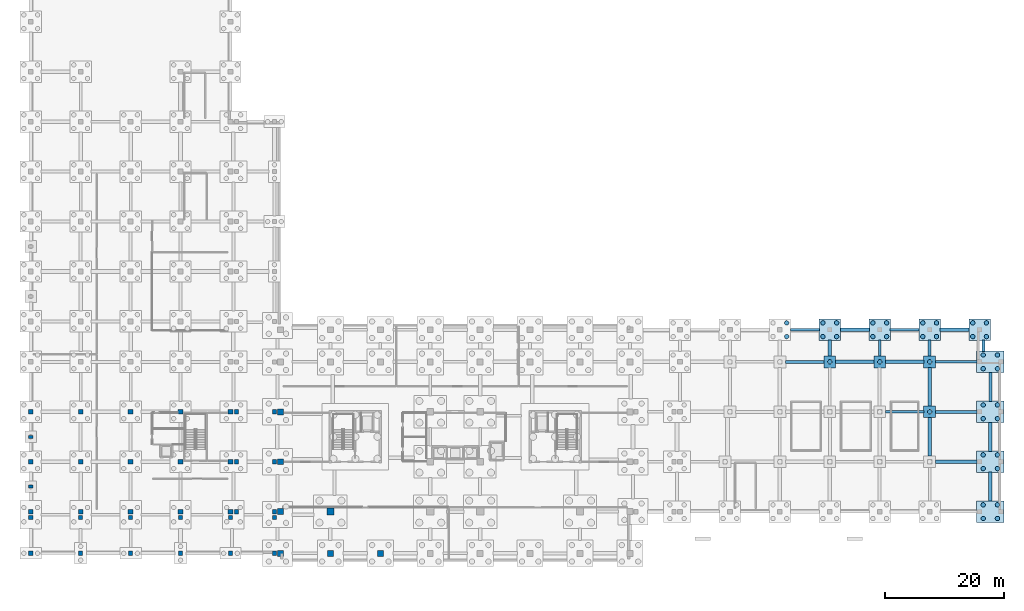
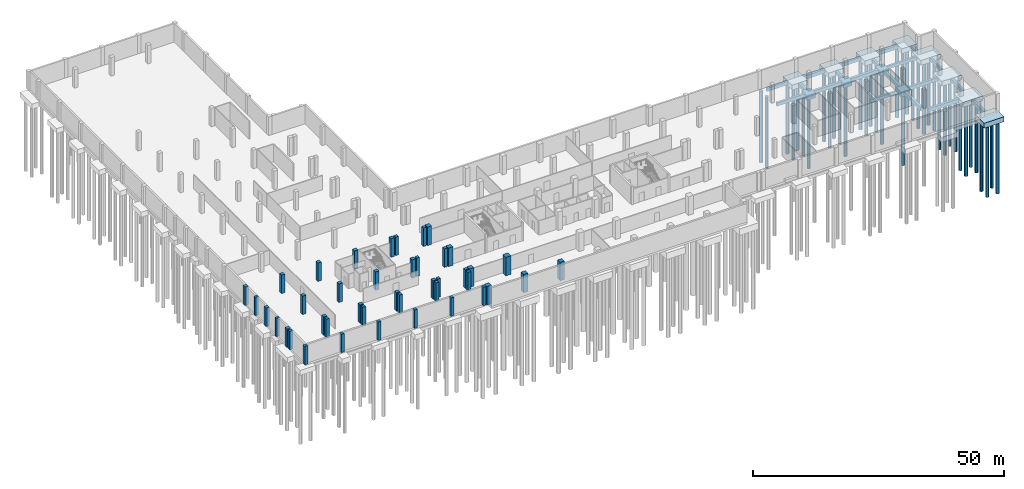
# One storey, part 7 of 17: 42 columns, 38 piles, 32 footings.
"""IFC4 building model written with IfcOpenShell, lengths in metres."""

from ifc_helpers import new_model, si_unit, direction, frame, origin, origin_2d, place, context, subcontext, project, spatial, rectangle, circle, extrude, material, material_profile, profile_set, type_object, element, save


model = new_model("IFC4")

# Units and contexts
model_context = context("Model", 3, precision=1e-05, world=origin(), true_north=direction((0.0, 1.0)))
body_context = subcontext(model_context, "Body", "Model", "MODEL_VIEW")
ifc_project = project(units=[si_unit("LENGTHUNIT", "METRE"), si_unit("AREAUNIT", "SQUARE_METRE"), si_unit("VOLUMEUNIT", "CUBIC_METRE"), si_unit("PLANEANGLEUNIT", "RADIAN"), si_unit("MASSUNIT", "GRAM", prefix="KILO")], contexts=[model_context])

# Site, building, storey
site_placement = place(None, origin())
site = spatial("IfcSite", under=ifc_project, at=site_placement, CompositionType="ELEMENT")
building_placement = place(site_placement, origin())
building = spatial("IfcBuilding", under=site, at=building_placement, Name="Telukmera Botanical Conservatory", CompositionType="ELEMENT")
storey_placement = place(building_placement, frame((0.0, 0.0, -4.5)))
storey = spatial("IfcBuildingStorey", under=building, at=storey_placement, Name="B1", CompositionType="ELEMENT", Elevation=-4.5)

# Footings
ifc_material_1 = material(Name="Concrete C50/60", Category="concrete")
footing_type_1 = type_object("IfcFootingType", Name="Cap_PC1", PredefinedType="PILE_CAP", material=ifc_material_1)
for number, where, z_axis, x_axis, name in (
    (1, (142.800048828125, 42.800048828125, -1.64990234375), (0.0, 0.0, 1.0), (1.0, 0.0, 0.0), "Pile Cap G067"),
    (2, (151.199951171875, 42.800048828125, -1.64990234375), (0.0, 0.0, 1.0), (1.0, 0.0, 0.0), "Pile Cap G070"),
    (3, (159.60009765625, 34.39990234375, -1.64990234375), (0.0, 0.0, 1.0), (1.0, 0.0, 0.0), "Pile Cap G072"),
    (4, (159.60009765625, 42.800048828125, -1.64990234375), (0.0, 0.0, 1.0), (1.0, 0.0, 0.0), "Pile Cap G073"),
):
    element("IfcFooting", number, at=place(storey_placement, frame(where, z_axis=z_axis, x_axis=x_axis)), inside=storey, type_object=footing_type_1, Name=name, PredefinedType="PILE_CAP", context=body_context, shape_type="SweptSolid", body=[
        extrude(rectangle(XDim=2.0, YDim=2.0, at=origin_2d()), origin(), (0.0, 0.0, 1.0), 1.199951171875),
    ])
footing_type_2 = type_object("IfcFootingType", Name="Cap_PC4", PredefinedType="PILE_CAP", material=ifc_material_1)
for number, where, z_axis, x_axis, name in (
    (5, (142.800048828125, 48.199951171875, -1.64990234375), (0.0, 0.0, 1.0), (1.0, 0.0, 0.0), "Pile Cap G049"),
    (6, (151.199951171875, 48.199951171875, -1.64990234375), (0.0, 0.0, 1.0), (1.0, 0.0, 0.0), "Pile Cap G051"),
    (7, (159.60009765625, 48.199951171875, -1.64990234375), (0.0, 0.0, 1.0), (1.0, 0.0, 0.0), "Pile Cap G053"),
    (8, (168.0, 48.199951171875, -1.64990234375), (0.0, 0.0, 1.0), (1.0, 0.0, 0.0), "Pile Cap G058"),
):
    element("IfcFooting", number, at=place(storey_placement, frame(where, z_axis=z_axis, x_axis=x_axis)), inside=storey, type_object=footing_type_2, Name=name, PredefinedType="PILE_CAP", context=body_context, shape_type="SweptSolid", body=[
        extrude(rectangle(XDim=3.60009765625, YDim=3.60009765625, at=origin_2d()), origin(), (0.0, 0.0, 1.0), 1.199951171875),
    ])
footing_type_3 = type_object("IfcFootingType", Name="Cap_PC5", PredefinedType="PILE_CAP", material=ifc_material_1)
for number, where, z_axis, x_axis, name in (
    (9, (169.800048828125, 17.60009765625, -1.64990234375), (0.0, 0.0, 1.0), (1.0, 0.0, 0.0), "Pile Cap G054"),
    (10, (169.800048828125, 26.0, -1.64990234375), (0.0, 0.0, 1.0), (1.0, 0.0, 0.0), "Pile Cap G055"),
    (11, (169.800048828125, 34.39990234375, -1.64990234375), (0.0, 0.0, 1.0), (1.0, 0.0, 0.0), "Pile Cap G056"),
    (12, (169.800048828125, 42.800048828125, -1.64990234375), (0.0, 0.0, 1.0), (1.0, 0.0, 0.0), "Pile Cap G057"),
):
    element("IfcFooting", number, at=place(storey_placement, frame(where, z_axis=z_axis, x_axis=x_axis)), inside=storey, type_object=footing_type_3, Name=name, PredefinedType="PILE_CAP", context=body_context, shape_type="SweptSolid", body=[
        extrude(rectangle(XDim=4.60009765625, YDim=3.60009765625, at=origin_2d()), origin(), (0.0, 0.0, 1.0), 1.199951171875),
    ])
ifc_material_2 = material(Name="Concrete C40/50", Category="concrete")
ifc_material_profile_1 = material_profile(ifc_material_2, rectangle(XDim=0.60009765625, YDim=0.89990234375, at=origin_2d()), Name="RC 600x900")
ifc_profile_set_1 = profile_set([ifc_material_profile_1], Name="Concrete C40/50")
footing_type_4 = type_object("IfcFootingType", Name="GroundBeam_GB1", PredefinedType="FOOTING_BEAM", material=ifc_profile_set_1)
for number, where, z_axis, x_axis, name in (
    (13, (144.56005859375, 48.199951171875, -0.89990234375), (1.0, 0.0, 0.0), (0.0, 1.0, 0.0), "Ground Tie Beam GBX-048"),
    (14, (161.360107421875, 48.199951171875, -0.89990234375), (1.0, 0.0, 0.0), (0.0, 1.0, 0.0), "Ground Tie Beam GBX-052"),
):
    element("IfcFooting", number, at=place(storey_placement, frame(where, z_axis=z_axis, x_axis=x_axis)), inside=storey, type_object=footing_type_4, Name=name, PredefinedType="FOOTING_BEAM", context=body_context, shape_type="SweptSolid", body=[
        extrude(rectangle(XDim=0.60009765625, YDim=0.89990234375, at=origin_2d()), origin(), (0.0, 0.0, 1.0), 4.8798828125),
    ])
footing_1_placement = place(storey_placement, frame((152.159912109375, 42.800048828125, -0.89990234375), z_axis=(1.0, 0.0, 0.0), x_axis=(0.0, 1.0, 0.0)))
element("IfcFooting", 15, at=footing_1_placement, inside=storey, type_object=footing_type_4, Name="Ground Tie Beam GBX-064", PredefinedType="FOOTING_BEAM", context=body_context, shape_type="SweptSolid", body=[
    extrude(rectangle(XDim=0.60009765625, YDim=0.89990234375, at=origin_2d()), origin(), (0.0, 0.0, 1.0), 6.47998046875),
])
footing_2_placement = place(storey_placement, frame((169.800048828125, 19.360107421875, -0.89990234375), z_axis=(0.0, 1.0, 0.0), x_axis=(-1.0, 0.0, 0.0)))
element("IfcFooting", 16, at=footing_2_placement, inside=storey, type_object=footing_type_4, Name="Ground Tie Beam GBY-164", PredefinedType="FOOTING_BEAM", context=body_context, shape_type="SweptSolid", body=[
    extrude(rectangle(XDim=0.60009765625, YDim=0.89990234375, at=origin_2d()), origin(), (0.0, 0.0, 1.0), 4.8798828125),
])
footing_3_placement = place(storey_placement, frame((142.800048828125, 43.760009765625, -0.89990234375), z_axis=(0.0, 1.0, 0.0), x_axis=(-1.0, 0.0, 0.0)))
element("IfcFooting", 17, at=footing_3_placement, inside=storey, type_object=footing_type_4, Name="Ground Tie Beam GBY-176", PredefinedType="FOOTING_BEAM", context=body_context, shape_type="SweptSolid", body=[
    extrude(rectangle(XDim=0.60009765625, YDim=0.89990234375, at=origin_2d()), origin(), (0.0, 0.0, 1.0), 2.679931640625),
])
footing_4_placement = place(storey_placement, frame((159.60009765625, 26.9599609375, -0.89990234375), z_axis=(0.0, 1.0, 0.0), x_axis=(-1.0, 0.0, 0.0)))
element("IfcFooting", 18, at=footing_4_placement, inside=storey, type_object=footing_type_4, Name="Ground Tie Beam GBY-180", PredefinedType="FOOTING_BEAM", context=body_context, shape_type="SweptSolid", body=[
    extrude(rectangle(XDim=0.60009765625, YDim=0.89990234375, at=origin_2d()), origin(), (0.0, 0.0, 1.0), 6.47998046875),
])
ifc_material_profile_2 = material_profile(ifc_material_2, rectangle(XDim=0.550048828125, YDim=0.85009765625, at=origin_2d()), Name="RC 550x850")
ifc_profile_set_2 = profile_set([ifc_material_profile_2], Name="Concrete C40/50")
footing_type_5 = type_object("IfcFootingType", Name="GroundBeam_GB2", PredefinedType="FOOTING_BEAM", material=ifc_profile_set_2)
footing_5_placement = place(storey_placement, frame((143.760009765625, 42.800048828125, -0.875), z_axis=(1.0, 0.0, 0.0), x_axis=(0.0, 1.0, 0.0)))
element("IfcFooting", 19, at=footing_5_placement, inside=storey, type_object=footing_type_5, Name="Ground Tie Beam GBX-061", PredefinedType="FOOTING_BEAM", context=body_context, shape_type="SweptSolid", body=[
    extrude(rectangle(XDim=0.550048828125, YDim=0.85009765625, at=origin_2d()), origin(), (0.0, 0.0, 1.0), 6.47998046875),
])
footing_6_placement = place(storey_placement, frame((160.56005859375, 26.0, -0.875), z_axis=(1.0, 0.0, 0.0), x_axis=(0.0, 1.0, 0.0)))
element("IfcFooting", 20, at=footing_6_placement, inside=storey, type_object=footing_type_5, Name="Ground Tie Beam GBX-065", PredefinedType="FOOTING_BEAM", context=body_context, shape_type="SweptSolid", body=[
    extrude(rectangle(XDim=0.550048828125, YDim=0.85009765625, at=origin_2d()), origin(), (0.0, 0.0, 1.0), 6.97998046875),
])
footing_7_placement = place(storey_placement, frame((169.800048828125, 27.760009765625, -0.875), z_axis=(0.0, 1.0, 0.0), x_axis=(-1.0, 0.0, 0.0)))
element("IfcFooting", 21, at=footing_7_placement, inside=storey, type_object=footing_type_5, Name="Ground Tie Beam GBY-165", PredefinedType="FOOTING_BEAM", context=body_context, shape_type="SweptSolid", body=[
    extrude(rectangle(XDim=0.550048828125, YDim=0.85009765625, at=origin_2d()), origin(), (0.0, 0.0, 1.0), 4.8798828125),
])
footing_8_placement = place(storey_placement, frame((159.60009765625, 35.360107421875, -0.875), z_axis=(0.0, 1.0, 0.0), x_axis=(-1.0, 0.0, 0.0)))
element("IfcFooting", 22, at=footing_8_placement, inside=storey, type_object=footing_type_5, Name="Ground Tie Beam GBY-181", PredefinedType="FOOTING_BEAM", context=body_context, shape_type="SweptSolid", body=[
    extrude(rectangle(XDim=0.550048828125, YDim=0.85009765625, at=origin_2d()), origin(), (0.0, 0.0, 1.0), 6.47998046875),
])
ifc_material_profile_3 = material_profile(ifc_material_2, rectangle(XDim=0.5, YDim=0.800048828125, at=origin_2d()), Name="RC 500x800")
ifc_profile_set_3 = profile_set([ifc_material_profile_3], Name="Concrete C40/50")
footing_type_6 = type_object("IfcFootingType", Name="GroundBeam_GB3", PredefinedType="FOOTING_BEAM", material=ifc_profile_set_3)
for number, where, z_axis, x_axis, name in (
    (23, (136.159912109375, 48.199951171875, -0.85009765625), (1.0, 0.0, 0.0), (0.0, 1.0, 0.0), "Ground Tie Beam GBX-046"),
    (24, (152.9599609375, 48.199951171875, -0.85009765625), (1.0, 0.0, 0.0), (0.0, 1.0, 0.0), "Ground Tie Beam GBX-050"),
):
    element("IfcFooting", number, at=place(storey_placement, frame(where, z_axis=z_axis, x_axis=x_axis)), inside=storey, type_object=footing_type_6, Name=name, PredefinedType="FOOTING_BEAM", context=body_context, shape_type="SweptSolid", body=[
        extrude(rectangle(XDim=0.5, YDim=0.800048828125, at=origin_2d()), origin(), (0.0, 0.0, 1.0), 4.880126953125),
    ])
footing_9_placement = place(storey_placement, frame((135.360107421875, 42.800048828125, -0.85009765625), z_axis=(1.0, 0.0, 0.0), x_axis=(0.0, 1.0, 0.0)))
element("IfcFooting", 25, at=footing_9_placement, inside=storey, type_object=footing_type_6, Name="Ground Tie Beam GBX-058", PredefinedType="FOOTING_BEAM", context=body_context, shape_type="SweptSolid", body=[
    extrude(rectangle(XDim=0.5, YDim=0.800048828125, at=origin_2d()), origin(), (0.0, 0.0, 1.0), 6.47998046875),
])
footing_10_placement = place(storey_placement, frame((160.56005859375, 34.39990234375, -0.85009765625), z_axis=(1.0, 0.0, 0.0), x_axis=(0.0, 1.0, 0.0)))
element("IfcFooting", 26, at=footing_10_placement, inside=storey, type_object=footing_type_6, Name="Ground Tie Beam GBX-066", PredefinedType="FOOTING_BEAM", context=body_context, shape_type="SweptSolid", body=[
    extrude(rectangle(XDim=0.5, YDim=0.800048828125, at=origin_2d()), origin(), (0.0, 0.0, 1.0), 6.97998046875),
])
footing_11_placement = place(storey_placement, frame((169.800048828125, 36.159912109375, -0.85009765625), z_axis=(0.0, 1.0, 0.0), x_axis=(-1.0, 0.0, 0.0)))
element("IfcFooting", 27, at=footing_11_placement, inside=storey, type_object=footing_type_6, Name="Ground Tie Beam GBY-166", PredefinedType="FOOTING_BEAM", context=body_context, shape_type="SweptSolid", body=[
    extrude(rectangle(XDim=0.5, YDim=0.800048828125, at=origin_2d()), origin(), (0.0, 0.0, 1.0), 4.880126953125),
])
footing_12_placement = place(storey_placement, frame((159.60009765625, 43.760009765625, -0.85009765625), z_axis=(0.0, 1.0, 0.0), x_axis=(-1.0, 0.0, 0.0)))
element("IfcFooting", 28, at=footing_12_placement, inside=storey, type_object=footing_type_6, Name="Ground Tie Beam GBY-182", PredefinedType="FOOTING_BEAM", context=body_context, shape_type="SweptSolid", body=[
    extrude(rectangle(XDim=0.5, YDim=0.800048828125, at=origin_2d()), origin(), (0.0, 0.0, 1.0), 2.679931640625),
])
ifc_material_profile_4 = material_profile(ifc_material_2, rectangle(XDim=0.449951171875, YDim=0.75, at=origin_2d()), Name="RC 450x750")
ifc_profile_set_4 = profile_set([ifc_material_profile_4], Name="Concrete C40/50")
footing_type_7 = type_object("IfcFootingType", Name="GroundBeam_GB4", PredefinedType="FOOTING_BEAM", material=ifc_profile_set_4)
footing_13_placement = place(storey_placement, frame((152.159912109375, 34.39990234375, -0.824951171875), z_axis=(1.0, 0.0, 0.0), x_axis=(0.0, 1.0, 0.0)))
element("IfcFooting", 29, at=footing_13_placement, inside=storey, type_object=footing_type_7, Name="Ground Tie Beam GBX-063", PredefinedType="FOOTING_BEAM", context=body_context, shape_type="SweptSolid", body=[
    extrude(rectangle(XDim=0.449951171875, YDim=0.75, at=origin_2d()), origin(), (0.0, 0.0, 1.0), 6.47998046875),
])
footing_14_placement = place(storey_placement, frame((160.56005859375, 42.800048828125, -0.824951171875), z_axis=(1.0, 0.0, 0.0), x_axis=(0.0, 1.0, 0.0)))
element("IfcFooting", 30, at=footing_14_placement, inside=storey, type_object=footing_type_7, Name="Ground Tie Beam GBX-067", PredefinedType="FOOTING_BEAM", context=body_context, shape_type="SweptSolid", body=[
    extrude(rectangle(XDim=0.449951171875, YDim=0.75, at=origin_2d()), origin(), (0.0, 0.0, 1.0), 6.97998046875),
])
footing_15_placement = place(storey_placement, frame((168.64990234375, 44.56005859375, -0.824951171875), z_axis=(0.0, 1.0, 0.0), x_axis=(-1.0, 0.0, 0.0)))
element("IfcFooting", 31, at=footing_15_placement, inside=storey, type_object=footing_type_7, Name="Ground Tie Beam GBY-167", PredefinedType="FOOTING_BEAM", context=body_context, shape_type="SweptSolid", body=[
    extrude(rectangle(XDim=0.449951171875, YDim=0.75, at=origin_2d()), origin(), (0.0, 0.0, 1.0), 1.8798828125),
])
footing_16_placement = place(storey_placement, frame((151.199951171875, 43.760009765625, -0.824951171875), z_axis=(0.0, 1.0, 0.0), x_axis=(-1.0, 0.0, 0.0)))
element("IfcFooting", 32, at=footing_16_placement, inside=storey, type_object=footing_type_7, Name="Ground Tie Beam GBY-179", PredefinedType="FOOTING_BEAM", context=body_context, shape_type="SweptSolid", body=[
    extrude(rectangle(XDim=0.449951171875, YDim=0.75, at=origin_2d()), origin(), (0.0, 0.0, 1.0), 2.679931640625),
])

# Piles
ifc_material_profile_5 = material_profile(ifc_material_2, circle(Radius=0.375, at=origin_2d()), Name="PILE D750")
ifc_profile_set_5 = profile_set([ifc_material_profile_5], Name="Concrete C40/50")
pile_type = type_object("IfcPileType", Name="Pile_PL3", PredefinedType="BORED", material=ifc_profile_set_5)
for number, where, z_axis, x_axis, name in (
    (33, (135.550048828125, 47.050048828125, -1.550048828125), (0.0, 0.0, -1.0), (1.0, 0.0, 0.0), "Bored Pile G047-2"),
    (34, (135.550048828125, 49.35009765625, -1.550048828125), (0.0, 0.0, -1.0), (1.0, 0.0, 0.0), "Bored Pile G047-4"),
    (35, (141.64990234375, 47.050048828125, -1.550048828125), (0.0, 0.0, -1.0), (1.0, 0.0, 0.0), "Bored Pile G049-1"),
    (36, (143.949951171875, 47.050048828125, -1.550048828125), (0.0, 0.0, -1.0), (1.0, 0.0, 0.0), "Bored Pile G049-2"),
    (37, (141.64990234375, 49.35009765625, -1.550048828125), (0.0, 0.0, -1.0), (1.0, 0.0, 0.0), "Bored Pile G049-3"),
    (38, (143.949951171875, 49.35009765625, -1.550048828125), (0.0, 0.0, -1.0), (1.0, 0.0, 0.0), "Bored Pile G049-4"),
    (39, (150.050048828125, 47.050048828125, -1.550048828125), (0.0, 0.0, -1.0), (1.0, 0.0, 0.0), "Bored Pile G051-1"),
    (40, (152.35009765625, 47.050048828125, -1.550048828125), (0.0, 0.0, -1.0), (1.0, 0.0, 0.0), "Bored Pile G051-2"),
    (41, (150.050048828125, 49.35009765625, -1.550048828125), (0.0, 0.0, -1.0), (1.0, 0.0, 0.0), "Bored Pile G051-3"),
    (42, (152.35009765625, 49.35009765625, -1.550048828125), (0.0, 0.0, -1.0), (1.0, 0.0, 0.0), "Bored Pile G051-4"),
    (43, (158.449951171875, 47.050048828125, -1.550048828125), (0.0, 0.0, -1.0), (1.0, 0.0, 0.0), "Bored Pile G053-1"),
    (44, (160.75, 47.050048828125, -1.550048828125), (0.0, 0.0, -1.0), (1.0, 0.0, 0.0), "Bored Pile G053-2"),
    (45, (158.449951171875, 49.35009765625, -1.550048828125), (0.0, 0.0, -1.0), (1.0, 0.0, 0.0), "Bored Pile G053-3"),
    (46, (160.75, 49.35009765625, -1.550048828125), (0.0, 0.0, -1.0), (1.0, 0.0, 0.0), "Bored Pile G053-4"),
    (47, (168.60009765625, 16.449951171875, -1.550048828125), (0.0, 0.0, -1.0), (1.0, 0.0, 0.0), "Bored Pile G054-1"),
    (48, (171.0, 16.449951171875, -1.550048828125), (0.0, 0.0, -1.0), (1.0, 0.0, 0.0), "Bored Pile G054-2"),
    (49, (168.60009765625, 18.75, -1.550048828125), (0.0, 0.0, -1.0), (1.0, 0.0, 0.0), "Bored Pile G054-3"),
    (50, (171.0, 18.75, -1.550048828125), (0.0, 0.0, -1.0), (1.0, 0.0, 0.0), "Bored Pile G054-4"),
    (51, (168.60009765625, 24.85009765625, -1.550048828125), (0.0, 0.0, -1.0), (1.0, 0.0, 0.0), "Bored Pile G055-1"),
    (52, (171.0, 24.85009765625, -1.550048828125), (0.0, 0.0, -1.0), (1.0, 0.0, 0.0), "Bored Pile G055-2"),
    (53, (168.60009765625, 27.14990234375, -1.550048828125), (0.0, 0.0, -1.0), (1.0, 0.0, 0.0), "Bored Pile G055-3"),
    (54, (171.0, 27.14990234375, -1.550048828125), (0.0, 0.0, -1.0), (1.0, 0.0, 0.0), "Bored Pile G055-4"),
    (55, (168.60009765625, 33.25, -1.550048828125), (0.0, 0.0, -1.0), (1.0, 0.0, 0.0), "Bored Pile G056-1"),
    (56, (171.0, 33.25, -1.550048828125), (0.0, 0.0, -1.0), (1.0, 0.0, 0.0), "Bored Pile G056-2"),
    (57, (168.60009765625, 35.550048828125, -1.550048828125), (0.0, 0.0, -1.0), (1.0, 0.0, 0.0), "Bored Pile G056-3"),
    (58, (171.0, 35.550048828125, -1.550048828125), (0.0, 0.0, -1.0), (1.0, 0.0, 0.0), "Bored Pile G056-4"),
    (59, (168.60009765625, 41.64990234375, -1.550048828125), (0.0, 0.0, -1.0), (1.0, 0.0, 0.0), "Bored Pile G057-1"),
    (60, (171.0, 41.64990234375, -1.550048828125), (0.0, 0.0, -1.0), (1.0, 0.0, 0.0), "Bored Pile G057-2"),
    (61, (168.60009765625, 43.949951171875, -1.550048828125), (0.0, 0.0, -1.0), (1.0, 0.0, 0.0), "Bored Pile G057-3"),
    (62, (171.0, 43.949951171875, -1.550048828125), (0.0, 0.0, -1.0), (1.0, 0.0, 0.0), "Bored Pile G057-4"),
    (63, (166.85009765625, 47.050048828125, -1.550048828125), (0.0, 0.0, -1.0), (1.0, 0.0, 0.0), "Bored Pile G058-1"),
    (64, (169.14990234375, 47.050048828125, -1.550048828125), (0.0, 0.0, -1.0), (1.0, 0.0, 0.0), "Bored Pile G058-2"),
    (65, (166.85009765625, 49.35009765625, -1.550048828125), (0.0, 0.0, -1.0), (1.0, 0.0, 0.0), "Bored Pile G058-3"),
    (66, (169.14990234375, 49.35009765625, -1.550048828125), (0.0, 0.0, -1.0), (1.0, 0.0, 0.0), "Bored Pile G058-4"),
    (67, (142.800048828125, 42.800048828125, -1.550048828125), (0.0, 0.0, -1.0), (1.0, 0.0, 0.0), "Bored Pile G067-1"),
    (68, (151.199951171875, 42.800048828125, -1.550048828125), (0.0, 0.0, -1.0), (1.0, 0.0, 0.0), "Bored Pile G070-1"),
    (69, (159.60009765625, 34.39990234375, -1.550048828125), (0.0, 0.0, -1.0), (1.0, 0.0, 0.0), "Bored Pile G072-1"),
    (70, (159.60009765625, 42.800048828125, -1.550048828125), (0.0, 0.0, -1.0), (1.0, 0.0, 0.0), "Bored Pile G073-1"),
):
    element("IfcPile", number, at=place(storey_placement, frame(where, z_axis=z_axis, x_axis=x_axis)), inside=storey, type_object=pile_type, Name=name, PredefinedType="BORED", context=body_context, shape_type="SweptSolid", body=[
        extrude(circle(Radius=0.375, at=origin_2d()), origin(), (0.0, 0.0, 1.0), 17.449951171875),
    ])

# Columns
ifc_material_profile_6 = material_profile(ifc_material_1, rectangle(XDim=1.199951171875, YDim=1.199951171875, at=origin_2d()), Name="RC 1200x1200")
ifc_profile_set_6 = profile_set([ifc_material_profile_6], Name="Concrete C50/60")
column_type_1 = type_object("IfcColumnType", Name="Col_C1", PredefinedType="COLUMN", material=ifc_profile_set_6)
column_placement = place(storey_placement, frame((58.800048828125, 17.60009765625, 0.0), z_axis=(0.0, 0.0, 1.0), x_axis=(1.0, 0.0, 0.0)))
element("IfcColumn", 71, at=column_placement, inside=storey, type_object=column_type_1, Name="Column V4-B1 (58.8,17.6)", PredefinedType="COLUMN", context=body_context, shape_type="SweptSolid", body=[
    extrude(rectangle(XDim=1.199951171875, YDim=1.199951171875, at=origin_2d()), origin(), (0.0, 0.0, 1.0), 4.5),
])
ifc_material_profile_7 = material_profile(ifc_material_1, rectangle(XDim=1.0, YDim=1.0, at=origin_2d()), Name="RC 1000x1000")
ifc_profile_set_7 = profile_set([ifc_material_profile_7], Name="Concrete C50/60")
column_type_2 = type_object("IfcColumnType", Name="Col_C3", PredefinedType="COLUMN", material=ifc_profile_set_7)
for number, where, z_axis, x_axis, name in (
    (72, (50.39990234375, 10.60009765625, 0.0), (0.0, 0.0, 1.0), (1.0, 0.0, 0.0), "Column V4-B1 (50.4,10.6)"),
    (73, (50.39990234375, 17.60009765625, 0.0), (0.0, 0.0, 1.0), (1.0, 0.0, 0.0), "Column V4-B1 (50.4,17.6)"),
    (74, (50.39990234375, 26.0, 0.0), (0.0, 0.0, 1.0), (1.0, 0.0, 0.0), "Column V4-B1 (50.4,26.0)"),
    (75, (50.39990234375, 34.39990234375, 0.0), (0.0, 0.0, 1.0), (1.0, 0.0, 0.0), "Column V4-B1 (50.4,34.4)"),
    (76, (58.800048828125, 10.60009765625, 0.0), (0.0, 0.0, 1.0), (1.0, 0.0, 0.0), "Column V4-B1 (58.8,10.6)"),
    (77, (67.199951171875, 10.60009765625, 0.0), (0.0, 0.0, 1.0), (1.0, 0.0, 0.0), "Column V4-B1 (67.2,10.6)"),
):
    element("IfcColumn", number, at=place(storey_placement, frame(where, z_axis=z_axis, x_axis=x_axis)), inside=storey, type_object=column_type_2, Name=name, PredefinedType="COLUMN", context=body_context, shape_type="SweptSolid", body=[
        extrude(rectangle(XDim=1.0, YDim=1.0, at=origin_2d()), origin(), (0.0, 0.0, 1.0), 4.5),
    ])
ifc_material_profile_8 = material_profile(ifc_material_1, rectangle(XDim=0.800048828125, YDim=0.800048828125, at=origin_2d()), Name="RC 800x800")
ifc_profile_set_8 = profile_set([ifc_material_profile_8], Name="Concrete C50/60")
column_type_3 = type_object("IfcColumnType", Name="Col_C7", PredefinedType="COLUMN", material=ifc_profile_set_8)
for number, where, z_axis, x_axis, name in (
    (78, (8.39990234375, 17.60009765625, 0.0), (0.0, 0.0, 1.0), (1.0, 0.0, 0.0), "Column V3-B1 (8.4,17.6)"),
    (79, (8.39990234375, 26.0, 0.0), (0.0, 0.0, 1.0), (1.0, 0.0, 0.0), "Column V3-B1 (8.4,26.0)"),
    (80, (8.39990234375, 34.39990234375, 0.0), (0.0, 0.0, 1.0), (1.0, 0.0, 0.0), "Column V3-B1 (8.4,34.4)"),
    (81, (16.800048828125, 17.60009765625, 0.0), (0.0, 0.0, 1.0), (1.0, 0.0, 0.0), "Column V3-B1 (16.8,17.6)"),
    (82, (16.800048828125, 26.0, 0.0), (0.0, 0.0, 1.0), (1.0, 0.0, 0.0), "Column V3-B1 (16.8,26.0)"),
    (83, (16.800048828125, 34.39990234375, 0.0), (0.0, 0.0, 1.0), (1.0, 0.0, 0.0), "Column V3-B1 (16.8,34.4)"),
    (84, (25.199951171875, 17.60009765625, 0.0), (0.0, 0.0, 1.0), (1.0, 0.0, 0.0), "Column V3-B1 (25.2,17.6)"),
    (85, (25.199951171875, 26.0, 0.0), (0.0, 0.0, 1.0), (1.0, 0.0, 0.0), "Column V3-B1 (25.2,26.0)"),
    (86, (25.199951171875, 34.39990234375, 0.0), (0.0, 0.0, 1.0), (1.0, 0.0, 0.0), "Column V3-B1 (25.2,34.4)"),
    (87, (33.60009765625, 17.60009765625, 0.0), (0.0, 0.0, 1.0), (1.0, 0.0, 0.0), "Column V3-B1 (33.6,17.6)"),
    (88, (33.60009765625, 26.0, 0.0), (0.0, 0.0, 1.0), (1.0, 0.0, 0.0), "Column V3-B1 (33.6,26.0)"),
    (89, (33.60009765625, 34.39990234375, 0.0), (0.0, 0.0, 1.0), (1.0, 0.0, 0.0), "Column V3-B1 (33.6,34.4)"),
    (90, (42.0, 17.60009765625, 0.0), (0.0, 0.0, 1.0), (1.0, 0.0, 0.0), "Column V3-B1 (42.0,17.6)"),
    (91, (42.0, 26.0, 0.0), (0.0, 0.0, 1.0), (1.0, 0.0, 0.0), "Column V3-B1 (42.0,26.0)"),
    (92, (42.0, 34.39990234375, 0.0), (0.0, 0.0, 1.0), (1.0, 0.0, 0.0), "Column V3-B1 (42.0,34.4)"),
):
    element("IfcColumn", number, at=place(storey_placement, frame(where, z_axis=z_axis, x_axis=x_axis)), inside=storey, type_object=column_type_3, Name=name, PredefinedType="COLUMN", context=body_context, shape_type="SweptSolid", body=[
        extrude(rectangle(XDim=0.800048828125, YDim=0.800048828125, at=origin_2d()), origin(), (0.0, 0.0, 1.0), 4.5),
    ])
ifc_material_profile_9 = material_profile(ifc_material_2, rectangle(XDim=0.699951171875, YDim=0.699951171875, at=origin_2d()), Name="RC 700x700")
ifc_profile_set_9 = profile_set([ifc_material_profile_9], Name="Concrete C40/50")
column_type_4 = type_object("IfcColumnType", Name="Col_C9", PredefinedType="COLUMN", material=ifc_profile_set_9)
for number, where, z_axis, x_axis, name in (
    (93, (8.39990234375, 10.60009765625, 0.0), (0.0, 0.0, 1.0), (1.0, 0.0, 0.0), "Column V5-B1 (8.4,10.6)"),
    (94, (8.39990234375, 16.60009765625, 0.0), (0.0, 0.0, 1.0), (1.0, 0.0, 0.0), "Column V5-B1 (8.4,16.6)"),
    (95, (16.800048828125, 10.60009765625, 0.0), (0.0, 0.0, 1.0), (1.0, 0.0, 0.0), "Column V5-B1 (16.8,10.6)"),
    (96, (16.800048828125, 16.60009765625, 0.0), (0.0, 0.0, 1.0), (1.0, 0.0, 0.0), "Column V5-B1 (16.8,16.6)"),
    (97, (25.199951171875, 10.60009765625, 0.0), (0.0, 0.0, 1.0), (1.0, 0.0, 0.0), "Column V5-B1 (25.2,10.6)"),
    (98, (25.199951171875, 16.60009765625, 0.0), (0.0, 0.0, 1.0), (1.0, 0.0, 0.0), "Column V5-B1 (25.2,16.6)"),
    (99, (33.60009765625, 10.60009765625, 0.0), (0.0, 0.0, 1.0), (1.0, 0.0, 0.0), "Column V5-B1 (33.6,10.6)"),
    (100, (33.60009765625, 16.60009765625, 0.0), (0.0, 0.0, 1.0), (1.0, 0.0, 0.0), "Column V5-B1 (33.6,16.6)"),
    (101, (42.0, 10.60009765625, 0.0), (0.0, 0.0, 1.0), (1.0, 0.0, 0.0), "Column V5-B1 (42.0,10.6)"),
    (102, (42.0, 16.60009765625, 0.0), (0.0, 0.0, 1.0), (1.0, 0.0, 0.0), "Column V5-B1 (42.0,16.6)"),
    (103, (49.39990234375, 10.60009765625, 0.0), (0.0, 0.0, 1.0), (1.0, 0.0, 0.0), "Column V5-B1 (49.4,10.6)"),
    (104, (49.39990234375, 16.60009765625, 0.0), (0.0, 0.0, 1.0), (1.0, 0.0, 0.0), "Column V5-B1 (49.4,16.6)"),
    (105, (43.0, 17.60009765625, 0.0), (0.0, 0.0, 1.0), (1.0, 0.0, 0.0), "Column V5-B1 (43.0,17.6)"),
    (106, (49.39990234375, 17.60009765625, 0.0), (0.0, 0.0, 1.0), (1.0, 0.0, 0.0), "Column V5-B1 (49.4,17.6)"),
    (107, (43.0, 26.0, 0.0), (0.0, 0.0, 1.0), (1.0, 0.0, 0.0), "Column V5-B1 (43.0,26.0)"),
    (108, (49.39990234375, 26.0, 0.0), (0.0, 0.0, 1.0), (1.0, 0.0, 0.0), "Column V5-B1 (49.4,26.0)"),
    (109, (43.0, 34.39990234375, 0.0), (0.0, 0.0, 1.0), (1.0, 0.0, 0.0), "Column V5-B1 (43.0,34.4)"),
    (110, (49.39990234375, 34.39990234375, 0.0), (0.0, 0.0, 1.0), (1.0, 0.0, 0.0), "Column V5-B1 (49.4,34.4)"),
):
    element("IfcColumn", number, at=place(storey_placement, frame(where, z_axis=z_axis, x_axis=x_axis)), inside=storey, type_object=column_type_4, Name=name, PredefinedType="COLUMN", context=body_context, shape_type="SweptSolid", body=[
        extrude(rectangle(XDim=0.699951171875, YDim=0.699951171875, at=origin_2d()), origin(), (0.0, 0.0, 1.0), 4.5),
    ])
ifc_material_3 = material(Name="Precast concrete C40/50", Category="concrete")
ifc_material_profile_10 = material_profile(ifc_material_3, rectangle(XDim=0.800048828125, YDim=0.5, at=origin_2d()), Name="PC 800x500")
ifc_profile_set_10 = profile_set([ifc_material_profile_10], Name="Precast concrete C40/50")
column_type_5 = type_object("IfcColumnType", Name="Col_PLP1", PredefinedType="PILASTER", material=ifc_profile_set_10)
for number, where, z_axis, x_axis, name in (
    (111, (8.39990234375, 21.800048828125, 0.0), (0.0, 0.0, 1.0), (1.0, 0.0, 0.0), "Column V3-B1 (8.4,21.8)"),
    (112, (8.39990234375, 30.199951171875, 0.0), (0.0, 0.0, 1.0), (1.0, 0.0, 0.0), "Column V3-B1 (8.4,30.2)"),
):
    element("IfcColumn", number, at=place(storey_placement, frame(where, z_axis=z_axis, x_axis=x_axis)), inside=storey, type_object=column_type_5, Name=name, PredefinedType="PILASTER", context=body_context, shape_type="SweptSolid", body=[
        extrude(rectangle(XDim=0.800048828125, YDim=0.5, at=origin_2d()), origin(), (0.0, 0.0, 1.0), 4.5),
    ])

save(model, "model.ifc")
